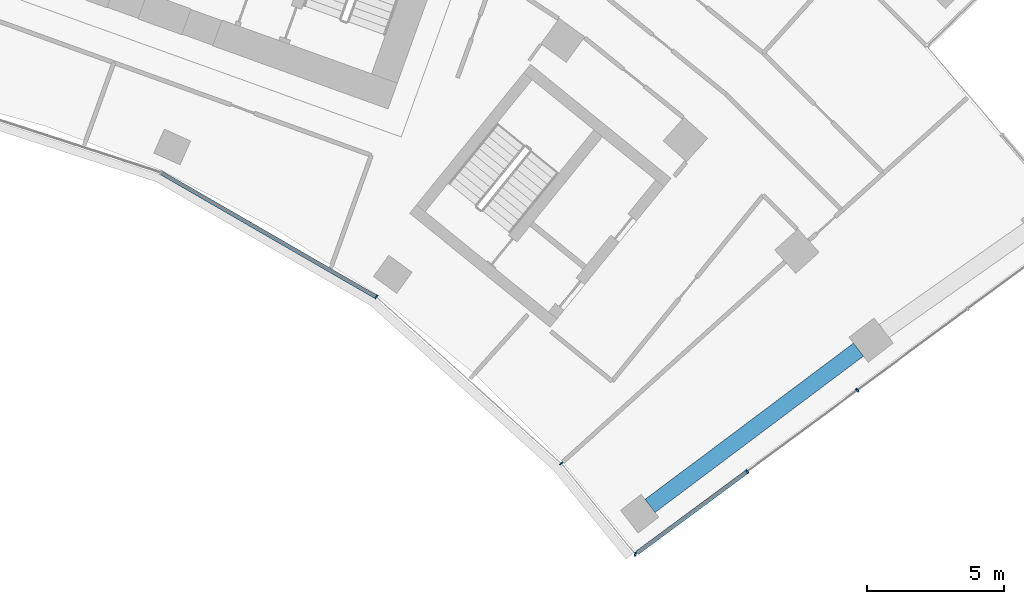
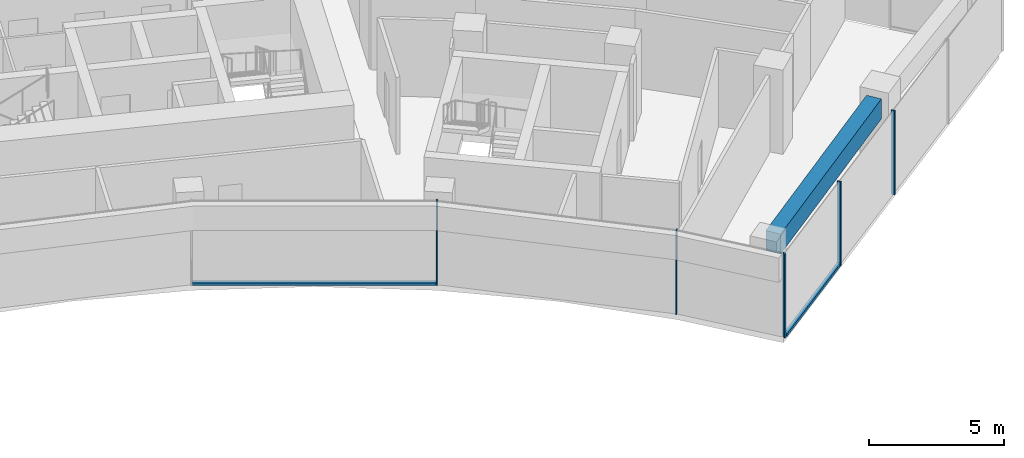
# One storey, part 7 of 20: 7 members, 1 beam, 2 elements without a shape of their own.
"""IFC4 building model written with IfcOpenShell, lengths in metres."""

from ifc_helpers import new_model, si_unit, direction, frame, origin, origin_2d, place, context, subcontext, project, spatial, rectangle, extrude, material, layer, layer_set, material_profile, profile_set, type_object, element, aggregate, save


model = new_model("IFC4")

# Units and contexts
model_context = context("Model", 3, precision=1e-05, world=origin(), true_north=direction((0.0, 1.0)))
body_context = subcontext(model_context, "Body", "Model", "MODEL_VIEW")
ifc_project = project(units=[si_unit("LENGTHUNIT", "METRE"), si_unit("AREAUNIT", "SQUARE_METRE"), si_unit("VOLUMEUNIT", "CUBIC_METRE"), si_unit("PLANEANGLEUNIT", "RADIAN"), si_unit("MASSUNIT", "GRAM", prefix="KILO")], contexts=[model_context])

# Site, building, storey
site_placement = place(None, origin())
site = spatial("IfcSite", under=ifc_project, at=site_placement, CompositionType="ELEMENT")
building_placement = place(site_placement, origin())
building = spatial("IfcBuilding", under=site, at=building_placement, Name="Stone Belt Terrace Tower", CompositionType="ELEMENT")
storey_placement = place(building_placement, frame((0.0, 0.0, 216.199951171875)))
storey = spatial("IfcBuildingStorey", under=building, at=storey_placement, Name="L52", CompositionType="ELEMENT", Elevation=216.199951171875)

# Curtain wall, members
ifc_material_1 = material(Name="Aluminium 6063-T6 anodised frame", Category="aluminium")
ifc_layer_1 = layer(ifc_material_1, 0.14990234375)
ifc_layer_set_1 = layer_set([ifc_layer_1], Name="CW-B unitised concave-face curtain wall")
curtain_wall_type_1 = type_object("IfcCurtainWallType", Name="CW-B unitised concave-face curtain wall", PredefinedType="NOTDEFINED", material=ifc_layer_set_1)
curtain_wall_1_placement = place(storey_placement, origin())
curtain_wall_1 = element("IfcCurtainWall", 1, at=curtain_wall_1_placement, inside=storey, type_object=curtain_wall_type_1, Name="CW-B concave face L52", PredefinedType="NOTDEFINED")
ifc_material_profile_1 = material_profile(ifc_material_1, rectangle(XDim=0.14990234375, YDim=0.050048828125, at=origin_2d()), Name="Aluminium 6063-T6 50x150")
ifc_profile_set_1 = profile_set([ifc_material_profile_1], Name="Aluminium 6063-T6 anodised frame")
member_type_1 = type_object("IfcMemberType", Name="CW-B mullion 50 x 150", PredefinedType="MULLION", material=ifc_profile_set_1)
member_1_placement = place(storey_placement, frame((25.5244140625, 35.13134765625, 0.0), z_axis=(0.0, 0.0, 1.0), x_axis=(0.587785252292, 0.809016994375, 0.0)))
member_1 = element("IfcMember", 2, at=member_1_placement, type_object=member_type_1, Name="CW-B mullion 8", PredefinedType="MULLION", context=body_context, shape_type="SweptSolid", body=[
    extrude(rectangle(XDim=0.14990234375, YDim=0.050048828125, at=origin_2d()), origin(), (0.0, 0.0, 1.0), 3.800048828125),
])
member_2_placement = place(storey_placement, frame((32.2724609375, 29.05517578125, 0.0), z_axis=(0.0, 0.0, 1.0), x_axis=(0.724007879695, 0.689791700544, 0.0)))
member_2 = element("IfcMember", 3, at=member_2_placement, type_object=member_type_1, Name="CW-B mullion 9", PredefinedType="MULLION", context=body_context, shape_type="SweptSolid", body=[
    extrude(rectangle(XDim=0.14990234375, YDim=0.050048828125, at=origin_2d()), origin(), (0.0, 0.0, 1.0), 3.800048828125),
])
ifc_material_profile_2 = material_profile(ifc_material_1, rectangle(XDim=0.14990234375, YDim=0.1201171875, at=origin_2d()), Name="Aluminium 6063-T6 150x120")
ifc_profile_set_2 = profile_set([ifc_material_profile_2], Name="Aluminium 6063-T6 anodised frame")
member_type_2 = type_object("IfcMemberType", Name="CW-B transom 120 x 150", PredefinedType="USERDEFINED", material=ifc_profile_set_2)
member_3_placement = place(storey_placement, frame((17.690673828125, 39.654052734375, 0.06005859375), z_axis=(0.866019133895, -0.500010859609, 0.0), x_axis=(0.500010859609, 0.866019133895, 0.0)))
member_3 = element("IfcMember", 4, at=member_3_placement, type_object=member_type_2, Name="CW-B transom 7.1", ObjectType="TRANSOM", PredefinedType="USERDEFINED", context=body_context, shape_type="SweptSolid", body=[
    extrude(rectangle(XDim=0.14990234375, YDim=0.1201171875, at=origin_2d()), origin(), (0.0, 0.0, 1.0), 9.012939453125),
])
aggregate(curtain_wall_1, [member_1, member_2, member_3])

ifc_layer_2 = layer(ifc_material_1, 0.14990234375)
ifc_layer_set_2 = layer_set([ifc_layer_2], Name="CW-C stick curtain wall, horn ends and notches")
curtain_wall_type_2 = type_object("IfcCurtainWallType", Name="CW-C stick curtain wall, horn ends and notches", PredefinedType="NOTDEFINED", material=ifc_layer_set_2)
curtain_wall_2_placement = place(storey_placement, origin())
curtain_wall_2 = element("IfcCurtainWall", 5, at=curtain_wall_2_placement, inside=storey, type_object=curtain_wall_type_2, Name="CW-C end face L52", PredefinedType="NOTDEFINED")
ifc_material_profile_3 = material_profile(ifc_material_1, rectangle(XDim=0.14990234375, YDim=0.06005859375, at=origin_2d()), Name="Aluminium 6063-T6 60x150")
ifc_profile_set_3 = profile_set([ifc_material_profile_3], Name="Aluminium 6063-T6 anodised frame")
member_type_3 = type_object("IfcMemberType", Name="CW-C mullion 60 x 150", PredefinedType="MULLION", material=ifc_profile_set_3)
member_4_placement = place(storey_placement, frame((34.975341796875, 25.744140625, 0.0), z_axis=(0.0, 0.0, 1.0), x_axis=(0.124625557677, 0.992203845172, 0.0)))
member_4 = element("IfcMember", 6, at=member_4_placement, type_object=member_type_3, Name="CW-C mullion 1", PredefinedType="MULLION", context=body_context, shape_type="SweptSolid", body=[
    extrude(rectangle(XDim=0.14990234375, YDim=0.06005859375, at=origin_2d()), origin(), (0.0, 0.0, 1.0), 3.800048828125),
])
member_5_placement = place(storey_placement, frame((39.054443359375, 28.757568359375, 0.0), z_axis=(0.0, 0.0, 1.0), x_axis=(-0.594184091865, 0.804329077539, 0.0)))
member_5 = element("IfcMember", 7, at=member_5_placement, type_object=member_type_3, Name="CW-C mullion 2", PredefinedType="MULLION", context=body_context, shape_type="SweptSolid", body=[
    extrude(rectangle(XDim=0.14990234375, YDim=0.06005859375, at=origin_2d()), origin(), (0.0, 0.0, 1.0), 3.800048828125),
])
member_6_placement = place(storey_placement, frame((43.076171875, 31.728515625, 0.0), z_axis=(0.0, 0.0, 1.0), x_axis=(-0.594184091865, 0.804329077539, 0.0)))
member_6 = element("IfcMember", 8, at=member_6_placement, type_object=member_type_3, Name="CW-C mullion 3", PredefinedType="MULLION", context=body_context, shape_type="SweptSolid", body=[
    extrude(rectangle(XDim=0.14990234375, YDim=0.06005859375, at=origin_2d()), origin(), (0.0, 0.0, 1.0), 3.800048828125),
])
ifc_material_profile_4 = material_profile(ifc_material_1, rectangle(XDim=0.14990234375, YDim=0.1201171875, at=origin_2d()), Name="Aluminium 6063-T6 150x120")
ifc_profile_set_4 = profile_set([ifc_material_profile_4], Name="Aluminium 6063-T6 anodised frame")
member_type_4 = type_object("IfcMemberType", Name="CW-C transom 120 x 150", PredefinedType="USERDEFINED", material=ifc_profile_set_4)
member_7_placement = place(storey_placement, frame((35.034423828125, 25.787841796875, 0.06005859375), z_axis=(0.804325227642, 0.594189303319, 0.0), x_axis=(-0.594189303319, 0.804325227642, 0.0)))
member_7 = element("IfcMember", 9, at=member_7_placement, type_object=member_type_4, Name="CW-C transom 1.1", ObjectType="TRANSOM", PredefinedType="USERDEFINED", context=body_context, shape_type="SweptSolid", body=[
    extrude(rectangle(XDim=0.14990234375, YDim=0.1201171875, at=origin_2d()), origin(), (0.0, 0.0, 1.0), 4.968017578125),
])
aggregate(curtain_wall_2, [member_4, member_5, member_6, member_7])

# Beam
ifc_material_2 = material(Name="Concrete B60", Category="concrete")
ifc_material_profile_5 = material_profile(ifc_material_2, rectangle(XDim=0.60009765625, YDim=0.89990234375, at=origin_2d()), Name="RC 600x900")
ifc_profile_set_5 = profile_set([ifc_material_profile_5], Name="Concrete B60")
beam_type = type_object("IfcBeamType", Name="Edge beam RC 600x900 B60", PredefinedType="SPANDREL", material=ifc_profile_set_5)
beam_placement = place(storey_placement, frame((35.51318359375, 27.5068359375, 3.030029296875), z_axis=(0.800073960697, 0.599901373073, 0.0), x_axis=(-0.599901373073, 0.800073960697, 0.0)))
element("IfcBeam", 10, at=beam_placement, inside=storey, type_object=beam_type, Name="Edge beam L52 B P to Q", PredefinedType="SPANDREL", context=body_context, shape_type="SweptSolid", body=[
    extrude(rectangle(XDim=0.60009765625, YDim=0.89990234375, at=origin_2d()), origin(), (0.0, 0.0, 1.0), 9.505859375),
])

save(model, "model.ifc")
